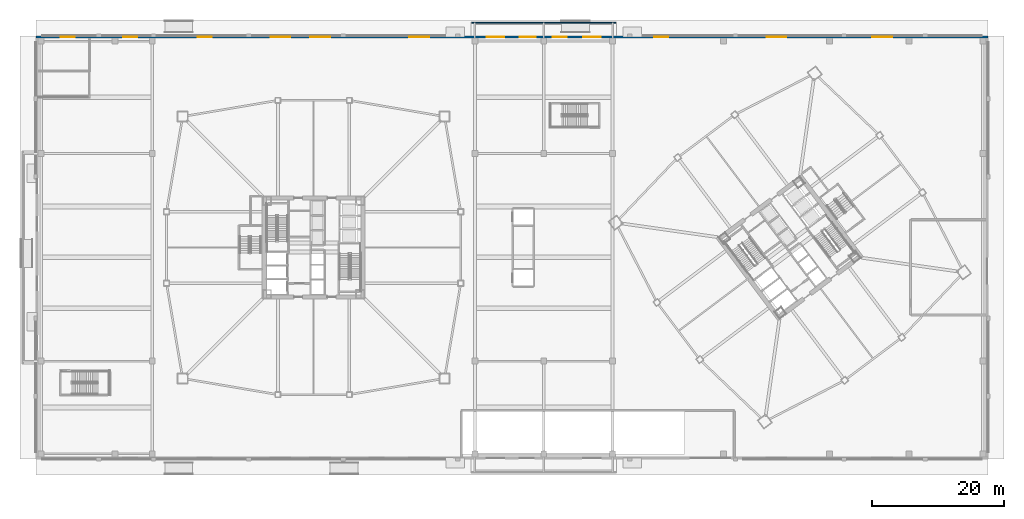
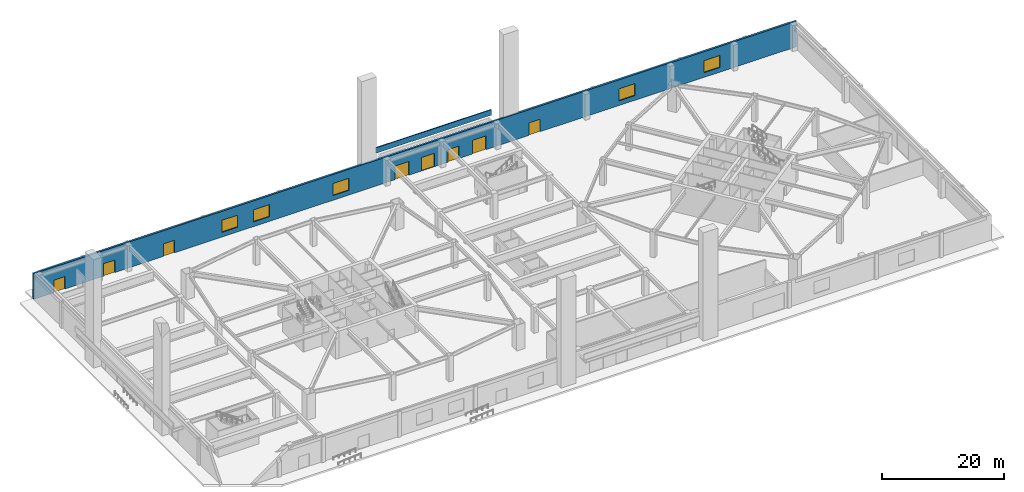
# One storey, part 13 of 26: 8 doors, 5 windows, 2 walls, 13 openings.
"""IFC4 building model written with IfcOpenShell, lengths in metres."""

from ifc_helpers import new_model, si_unit, direction, frame, frame_2d, origin, place, context, subcontext, project, spatial, rectangle, extrude, material, layer, layer_set, type_object, element, fill, save


model = new_model("IFC4")

# Units and contexts
model_context = context("Model", 3, precision=1e-05, world=origin(), true_north=direction((0.0, 1.0)))
body_context = subcontext(model_context, "Body", "Model", "MODEL_VIEW")
ifc_project = project(units=[si_unit("LENGTHUNIT", "METRE"), si_unit("AREAUNIT", "SQUARE_METRE"), si_unit("VOLUMEUNIT", "CUBIC_METRE"), si_unit("PLANEANGLEUNIT", "RADIAN"), si_unit("MASSUNIT", "GRAM", prefix="KILO")], contexts=[model_context])

# Site, building, storey
site_placement = place(None, origin())
site = spatial("IfcSite", under=ifc_project, at=site_placement, CompositionType="ELEMENT")
building_placement = place(site_placement, origin())
building = spatial("IfcBuilding", under=site, at=building_placement, Name="Tashvorn Skyway Center", CompositionType="ELEMENT")
storey_placement = place(building_placement, origin())
storey = spatial("IfcBuildingStorey", under=building, at=storey_placement, Name="L00", CompositionType="ELEMENT", Elevation=0.0)

# Wall, openings, doors, windows
ifc_material_1 = material(Name="Precast concrete C40/50", Category="concrete")
ifc_layer_1 = layer(ifc_material_1, 0.35009765625)
ifc_layer_set_1 = layer_set([ifc_layer_1], Name="Precast concrete C40/50")
wall_type_1 = type_object("IfcWallType", Name="WALL-EXT-350", PredefinedType="SOLIDWALL", material=ifc_layer_set_1)
wall_1_placement = place(storey_placement, frame((0.0, 63.824951171875, 0.0), z_axis=(0.0, 0.0, 1.0), x_axis=(1.0, 0.0, 0.0)))
wall_1 = element("IfcWall", 1, at=wall_1_placement, inside=storey, type_object=wall_type_1, Name="L00 North Postmodern Precast Facade Wall", PredefinedType="SOLIDWALL", context=body_context, shape_type="SweptSolid", body=[
    extrude(rectangle(XDim=144.0, YDim=0.35009765625, at=frame_2d((72.0, 0.0))), origin(), (0.0, 0.0, 1.0), 5.139892578125),
])
opening_1_placement = place(wall_1_placement, frame((68.199951171875, 0.0, 0.0)))
opening_1 = element("IfcOpeningElement", 2, at=opening_1_placement, cuts=wall_1, Name="Opening G-STN-2600", PredefinedType="OPENING", context=body_context, shape_type="SweptSolid", body=[
    extrude(rectangle(XDim=2.60009765625, YDim=2.75, at=frame_2d((1.300048828125, 1.375))), frame((0.0, 0.18505859375, 0.0), z_axis=(0.0, -1.0, 0.0), x_axis=(1.0, 0.0, 0.0)), (0.0, 0.0, 1.0), 0.3701171875),
])
opening_2_placement = place(wall_1_placement, frame((82.800048828125, 0.0, 0.0)))
opening_2 = element("IfcOpeningElement", 3, at=opening_2_placement, cuts=wall_1, Name="Opening G-STN-2600", PredefinedType="OPENING", context=body_context, shape_type="SweptSolid", body=[
    extrude(rectangle(XDim=2.60009765625, YDim=2.75, at=frame_2d((1.300048828125, 1.375))), frame((0.0, 0.18505859375, 0.0), z_axis=(0.0, -1.0, 0.0), x_axis=(1.0, 0.0, 0.0)), (0.0, 0.0, 1.0), 0.3701171875),
])
opening_3_placement = place(wall_1_placement, frame((3.800048828125, 0.0, 0.0)))
opening_3 = element("IfcOpeningElement", 4, at=opening_3_placement, cuts=wall_1, Name="Opening D-EXT-2100", PredefinedType="OPENING", context=body_context, shape_type="SweptSolid", body=[
    extrude(rectangle(XDim=2.10009765625, YDim=2.5, at=frame_2d((1.050048828125, 1.25))), frame((0.0, 0.18505859375, 0.0), z_axis=(0.0, -1.0, 0.0), x_axis=(1.0, 0.0, 0.0)), (0.0, 0.0, 1.0), 0.3701171875),
])
opening_4_placement = place(wall_1_placement, frame((13.199951171875, 0.0, 0.0)))
opening_4 = element("IfcOpeningElement", 5, at=opening_4_placement, cuts=wall_1, Name="Opening D-EXT-2100", PredefinedType="OPENING", context=body_context, shape_type="SweptSolid", body=[
    extrude(rectangle(XDim=2.10009765625, YDim=2.5, at=frame_2d((1.050048828125, 1.25))), frame((0.0, 0.18505859375, 0.0), z_axis=(0.0, -1.0, 0.0), x_axis=(1.0, 0.0, 0.0)), (0.0, 0.0, 1.0), 0.3701171875),
])
opening_5_placement = place(wall_1_placement, frame((24.5, 0.0, 0.0)))
opening_5 = element("IfcOpeningElement", 6, at=opening_5_placement, cuts=wall_1, Name="Opening D-EXT-2100", PredefinedType="OPENING", context=body_context, shape_type="SweptSolid", body=[
    extrude(rectangle(XDim=2.10009765625, YDim=2.5, at=frame_2d((1.050048828125, 1.25))), frame((0.0, 0.18505859375, 0.0), z_axis=(0.0, -1.0, 0.0), x_axis=(1.0, 0.0, 0.0)), (0.0, 0.0, 1.0), 0.3701171875),
])
opening_6_placement = place(wall_1_placement, frame((73.199951171875, 0.0, 0.0)))
opening_6 = element("IfcOpeningElement", 7, at=opening_6_placement, cuts=wall_1, Name="Opening D-STN-2400", PredefinedType="OPENING", context=body_context, shape_type="SweptSolid", body=[
    extrude(rectangle(XDim=2.39990234375, YDim=2.699951171875, at=frame_2d((1.199951171875, 1.35009765625))), frame((0.0, 0.18505859375, 0.0), z_axis=(0.0, -1.0, 0.0), x_axis=(1.0, 0.0, 0.0)), (0.0, 0.0, 1.0), 0.3701171875),
])
opening_7_placement = place(wall_1_placement, frame((78.199951171875, 0.0, 0.0)))
opening_7 = element("IfcOpeningElement", 8, at=opening_7_placement, cuts=wall_1, Name="Opening D-EXT-2100", PredefinedType="OPENING", context=body_context, shape_type="SweptSolid", body=[
    extrude(rectangle(XDim=2.10009765625, YDim=2.5, at=frame_2d((1.050048828125, 1.25))), frame((0.0, 0.18505859375, 0.0), z_axis=(0.0, -1.0, 0.0), x_axis=(1.0, 0.0, 0.0)), (0.0, 0.0, 1.0), 0.3701171875),
])
opening_8_placement = place(wall_1_placement, frame((93.5, 0.0, 0.0)))
opening_8 = element("IfcOpeningElement", 9, at=opening_8_placement, cuts=wall_1, Name="Opening D-EXT-2100", PredefinedType="OPENING", context=body_context, shape_type="SweptSolid", body=[
    extrude(rectangle(XDim=2.10009765625, YDim=2.5, at=frame_2d((1.050048828125, 1.25))), frame((0.0, 0.18505859375, 0.0), z_axis=(0.0, -1.0, 0.0), x_axis=(1.0, 0.0, 0.0)), (0.0, 0.0, 1.0), 0.3701171875),
])
opening_9_placement = place(wall_1_placement, frame((35.5, 0.0, 0.949951171875)))
opening_9 = element("IfcOpeningElement", 10, at=opening_9_placement, cuts=wall_1, Name="Opening WIN-3000", PredefinedType="OPENING", context=body_context, shape_type="SweptSolid", body=[
    extrude(rectangle(XDim=3.0, YDim=2.39990234375, at=frame_2d((1.5, 1.199951171875))), frame((0.0, 0.18505859375, 0.0), z_axis=(0.0, -1.0, 0.0), x_axis=(1.0, 0.0, 0.0)), (0.0, 0.0, 1.0), 0.3701171875),
])
opening_10_placement = place(wall_1_placement, frame((41.5, 0.0, 0.949951171875)))
opening_10 = element("IfcOpeningElement", 11, at=opening_10_placement, cuts=wall_1, Name="Opening WIN-3000", PredefinedType="OPENING", context=body_context, shape_type="SweptSolid", body=[
    extrude(rectangle(XDim=3.0, YDim=2.39990234375, at=frame_2d((1.5, 1.199951171875))), frame((0.0, 0.18505859375, 0.0), z_axis=(0.0, -1.0, 0.0), x_axis=(1.0, 0.0, 0.0)), (0.0, 0.0, 1.0), 0.3701171875),
])
opening_11_placement = place(wall_1_placement, frame((56.5, 0.0, 0.949951171875)))
opening_11 = element("IfcOpeningElement", 12, at=opening_11_placement, cuts=wall_1, Name="Opening WIN-3000", PredefinedType="OPENING", context=body_context, shape_type="SweptSolid", body=[
    extrude(rectangle(XDim=3.0, YDim=2.39990234375, at=frame_2d((1.5, 1.199951171875))), frame((0.0, 0.18505859375, 0.0), z_axis=(0.0, -1.0, 0.0), x_axis=(1.0, 0.0, 0.0)), (0.0, 0.0, 1.0), 0.3701171875),
])
opening_12_placement = place(wall_1_placement, frame((110.5, 0.0, 0.949951171875)))
opening_12 = element("IfcOpeningElement", 13, at=opening_12_placement, cuts=wall_1, Name="Opening WIN-3000", PredefinedType="OPENING", context=body_context, shape_type="SweptSolid", body=[
    extrude(rectangle(XDim=3.0, YDim=2.39990234375, at=frame_2d((1.5, 1.199951171875))), frame((0.0, 0.18505859375, 0.0), z_axis=(0.0, -1.0, 0.0), x_axis=(1.0, 0.0, 0.0)), (0.0, 0.0, 1.0), 0.3701171875),
])
opening_13_placement = place(wall_1_placement, frame((126.5, 0.0, 0.949951171875)))
opening_13 = element("IfcOpeningElement", 14, at=opening_13_placement, cuts=wall_1, Name="Opening WIN-3000", PredefinedType="OPENING", context=body_context, shape_type="SweptSolid", body=[
    extrude(rectangle(XDim=3.0, YDim=2.39990234375, at=frame_2d((1.5, 1.199951171875))), frame((0.0, 0.18505859375, 0.0), z_axis=(0.0, -1.0, 0.0), x_axis=(1.0, 0.0, 0.0)), (0.0, 0.0, 1.0), 0.3701171875),
])
ifc_material_2 = material(Name="Thermally broken bronze-anodized aluminium 6063-T6", Category="aluminium")
door_type_1 = type_object("IfcDoorType", Name="DOOR-EXT-2100", OperationType="DOUBLE_DOOR_SINGLE_SWING", PredefinedType="DOOR", material=ifc_material_2)
door_1_placement = place(opening_3_placement, origin())
door_1 = element("IfcDoor", 15, at=door_1_placement, inside=storey, type_object=door_type_1, Name="L00 Fire Command Center Direct Exterior Entrance Door", OperationType="DOUBLE_DOOR_SINGLE_SWING", OverallHeight=2.5, OverallWidth=2.10009765625, PredefinedType="DOOR", context=body_context, shape_type="SweptSolid", body=[
    extrude(rectangle(XDim=2.10009765625, YDim=2.5, at=frame_2d((1.050048828125, 1.25))), frame((0.0, 0.02490234375, 0.0), z_axis=(0.0, -1.0, 0.0), x_axis=(1.0, 0.0, 0.0)), (0.0, 0.0, 1.0), 0.050048828125),
])
fill(opening_3, door_1)
door_2_placement = place(opening_4_placement, origin())
door_2 = element("IfcDoor", 16, at=door_2_placement, inside=storey, type_object=door_type_1, Name="L00 North Boulevard Final Exit Discharge Door N1", OperationType="DOUBLE_DOOR_SINGLE_SWING", OverallHeight=2.5, OverallWidth=2.10009765625, PredefinedType="DOOR", context=body_context, shape_type="SweptSolid", body=[
    extrude(rectangle(XDim=2.10009765625, YDim=2.5, at=frame_2d((1.050048828125, 1.25))), frame((0.0, 0.02490234375, 0.0), z_axis=(0.0, -1.0, 0.0), x_axis=(1.0, 0.0, 0.0)), (0.0, 0.0, 1.0), 0.050048828125),
])
fill(opening_4, door_2)
door_3_placement = place(opening_5_placement, origin())
door_3 = element("IfcDoor", 17, at=door_3_placement, inside=storey, type_object=door_type_1, Name="L00 North Boulevard Final Exit Discharge Door N2", OperationType="DOUBLE_DOOR_SINGLE_SWING", OverallHeight=2.5, OverallWidth=2.10009765625, PredefinedType="DOOR", context=body_context, shape_type="SweptSolid", body=[
    extrude(rectangle(XDim=2.10009765625, YDim=2.5, at=frame_2d((1.050048828125, 1.25))), frame((0.0, 0.02490234375, 0.0), z_axis=(0.0, -1.0, 0.0), x_axis=(1.0, 0.0, 0.0)), (0.0, 0.0, 1.0), 0.050048828125),
])
fill(opening_5, door_3)
door_4_placement = place(opening_7_placement, origin())
door_4 = element("IfcDoor", 18, at=door_4_placement, inside=storey, type_object=door_type_1, Name="L00 North Boulevard Final Exit Discharge Door N4", OperationType="DOUBLE_DOOR_SINGLE_SWING", OverallHeight=2.5, OverallWidth=2.10009765625, PredefinedType="DOOR", context=body_context, shape_type="SweptSolid", body=[
    extrude(rectangle(XDim=2.10009765625, YDim=2.5, at=frame_2d((1.050048828125, 1.25))), frame((0.0, 0.02490234375, 0.0), z_axis=(0.0, -1.0, 0.0), x_axis=(1.0, 0.0, 0.0)), (0.0, 0.0, 1.0), 0.050048828125),
])
fill(opening_7, door_4)
door_5_placement = place(opening_8_placement, origin())
door_5 = element("IfcDoor", 19, at=door_5_placement, inside=storey, type_object=door_type_1, Name="L00 North Boulevard Final Exit Discharge Door N5", OperationType="DOUBLE_DOOR_SINGLE_SWING", OverallHeight=2.5, OverallWidth=2.10009765625, PredefinedType="DOOR", context=body_context, shape_type="SweptSolid", body=[
    extrude(rectangle(XDim=2.10009765625, YDim=2.5, at=frame_2d((1.050048828125, 1.25))), frame((0.0, 0.02490234375, 0.0), z_axis=(0.0, -1.0, 0.0), x_axis=(1.0, 0.0, 0.0)), (0.0, 0.0, 1.0), 0.050048828125),
])
fill(opening_8, door_5)
door_type_2 = type_object("IfcDoorType", Name="DOOR-STN-2400", OperationType="DOUBLE_DOOR_SINGLE_SWING", PredefinedType="DOOR", material=ifc_material_2)
door_6_placement = place(opening_6_placement, origin())
door_6 = element("IfcDoor", 20, at=door_6_placement, inside=storey, type_object=door_type_2, Name="L00 North Boulevard Final Exit Discharge Door N3", OperationType="DOUBLE_DOOR_SINGLE_SWING", OverallHeight=2.699951171875, OverallWidth=2.39990234375, PredefinedType="DOOR", context=body_context, shape_type="SweptSolid", body=[
    extrude(rectangle(XDim=2.39990234375, YDim=2.699951171875, at=frame_2d((1.199951171875, 1.35009765625))), frame((0.0, 0.02490234375, 0.0), z_axis=(0.0, -1.0, 0.0), x_axis=(1.0, 0.0, 0.0)), (0.0, 0.0, 1.0), 0.050048828125),
])
fill(opening_6, door_6)
ifc_material_3 = material(Name="Galvanized steel S355", Category="steel")
door_type_3 = type_object("IfcDoorType", Name="GATE-CONC-2600", OperationType="ROLLINGUP", PredefinedType="GATE", material=ifc_material_3)
door_7_placement = place(opening_1_placement, origin())
door_7 = element("IfcDoor", 21, at=door_7_placement, inside=storey, type_object=door_type_3, Name="Station Concourse North Portal Gate 1", OperationType="ROLLINGUP", OverallHeight=2.75, OverallWidth=2.60009765625, PredefinedType="GATE", context=body_context, shape_type="SweptSolid", body=[
    extrude(rectangle(XDim=2.60009765625, YDim=2.75, at=frame_2d((1.300048828125, 1.375))), frame((0.0, 0.02490234375, 0.0), z_axis=(0.0, -1.0, 0.0), x_axis=(1.0, 0.0, 0.0)), (0.0, 0.0, 1.0), 0.050048828125),
])
fill(opening_1, door_7)
door_8_placement = place(opening_2_placement, origin())
door_8 = element("IfcDoor", 22, at=door_8_placement, inside=storey, type_object=door_type_3, Name="Station Concourse North Portal Gate 2", OperationType="ROLLINGUP", OverallHeight=2.75, OverallWidth=2.60009765625, PredefinedType="GATE", context=body_context, shape_type="SweptSolid", body=[
    extrude(rectangle(XDim=2.60009765625, YDim=2.75, at=frame_2d((1.300048828125, 1.375))), frame((0.0, 0.02490234375, 0.0), z_axis=(0.0, -1.0, 0.0), x_axis=(1.0, 0.0, 0.0)), (0.0, 0.0, 1.0), 0.050048828125),
])
fill(opening_2, door_8)
ifc_material_4 = material(Name="Low-E solar-control double insulating safety glass", Category="glass")
window_type = type_object("IfcWindowType", Name="WIN-POD-3000", PartitioningType="SINGLE_PANEL", PredefinedType="WINDOW", material=ifc_material_4)
window_1_placement = place(opening_9_placement, origin())
window_1 = element("IfcWindow", 23, at=window_1_placement, inside=storey, type_object=window_type, Name="L00 North Podium Window 01", OverallHeight=2.39990234375, OverallWidth=3.0, PartitioningType="SINGLE_PANEL", PredefinedType="WINDOW", context=body_context, shape_type="SweptSolid", body=[
    extrude(rectangle(XDim=3.0, YDim=2.39990234375, at=frame_2d((1.5, 1.199951171875))), frame((0.0, 0.030029296875, 0.0), z_axis=(0.0, -1.0, 0.0), x_axis=(1.0, 0.0, 0.0)), (0.0, 0.0, 1.0), 0.06005859375),
])
fill(opening_9, window_1)
window_2_placement = place(opening_10_placement, origin())
window_2 = element("IfcWindow", 24, at=window_2_placement, inside=storey, type_object=window_type, Name="L00 North Podium Window 02", OverallHeight=2.39990234375, OverallWidth=3.0, PartitioningType="SINGLE_PANEL", PredefinedType="WINDOW", context=body_context, shape_type="SweptSolid", body=[
    extrude(rectangle(XDim=3.0, YDim=2.39990234375, at=frame_2d((1.5, 1.199951171875))), frame((0.0, 0.030029296875, 0.0), z_axis=(0.0, -1.0, 0.0), x_axis=(1.0, 0.0, 0.0)), (0.0, 0.0, 1.0), 0.06005859375),
])
fill(opening_10, window_2)
window_3_placement = place(opening_11_placement, origin())
window_3 = element("IfcWindow", 25, at=window_3_placement, inside=storey, type_object=window_type, Name="L00 North Podium Window 03", OverallHeight=2.39990234375, OverallWidth=3.0, PartitioningType="SINGLE_PANEL", PredefinedType="WINDOW", context=body_context, shape_type="SweptSolid", body=[
    extrude(rectangle(XDim=3.0, YDim=2.39990234375, at=frame_2d((1.5, 1.199951171875))), frame((0.0, 0.030029296875, 0.0), z_axis=(0.0, -1.0, 0.0), x_axis=(1.0, 0.0, 0.0)), (0.0, 0.0, 1.0), 0.06005859375),
])
fill(opening_11, window_3)
window_4_placement = place(opening_12_placement, origin())
window_4 = element("IfcWindow", 26, at=window_4_placement, inside=storey, type_object=window_type, Name="L00 North Podium Window 04", OverallHeight=2.39990234375, OverallWidth=3.0, PartitioningType="SINGLE_PANEL", PredefinedType="WINDOW", context=body_context, shape_type="SweptSolid", body=[
    extrude(rectangle(XDim=3.0, YDim=2.39990234375, at=frame_2d((1.5, 1.199951171875))), frame((0.0, 0.030029296875, 0.0), z_axis=(0.0, -1.0, 0.0), x_axis=(1.0, 0.0, 0.0)), (0.0, 0.0, 1.0), 0.06005859375),
])
fill(opening_12, window_4)
window_5_placement = place(opening_13_placement, origin())
window_5 = element("IfcWindow", 27, at=window_5_placement, inside=storey, type_object=window_type, Name="L00 North Podium Window 05", OverallHeight=2.39990234375, OverallWidth=3.0, PartitioningType="SINGLE_PANEL", PredefinedType="WINDOW", context=body_context, shape_type="SweptSolid", body=[
    extrude(rectangle(XDim=3.0, YDim=2.39990234375, at=frame_2d((1.5, 1.199951171875))), frame((0.0, 0.030029296875, 0.0), z_axis=(0.0, -1.0, 0.0), x_axis=(1.0, 0.0, 0.0)), (0.0, 0.0, 1.0), 0.06005859375),
])
fill(opening_13, window_5)

# Wall
ifc_layer_2 = layer(ifc_material_1, 0.18994140625)
ifc_layer_set_2 = layer_set([ifc_layer_2], Name="Precast concrete C40/50")
wall_type_2 = type_object("IfcWallType", Name="WALL-PARA-190", PredefinedType="PARAPET", material=ifc_layer_set_2)
wall_2_placement = place(storey_placement, frame((65.89990234375, 66.0, 4.699951171875), z_axis=(0.0, 0.0, 1.0), x_axis=(1.0, 0.0, 0.0)))
element("IfcWall", 28, at=wall_2_placement, inside=storey, type_object=wall_type_2, Name="North Station Canopy Fascia Parapet", PredefinedType="PARAPET", context=body_context, shape_type="SweptSolid", body=[
    extrude(rectangle(XDim=21.800048828125, YDim=0.18994140625, at=frame_2d((10.89990234375, 0.0))), origin(), (0.0, 0.0, 1.0), 1.10009765625),
])

save(model, "model.ifc")
